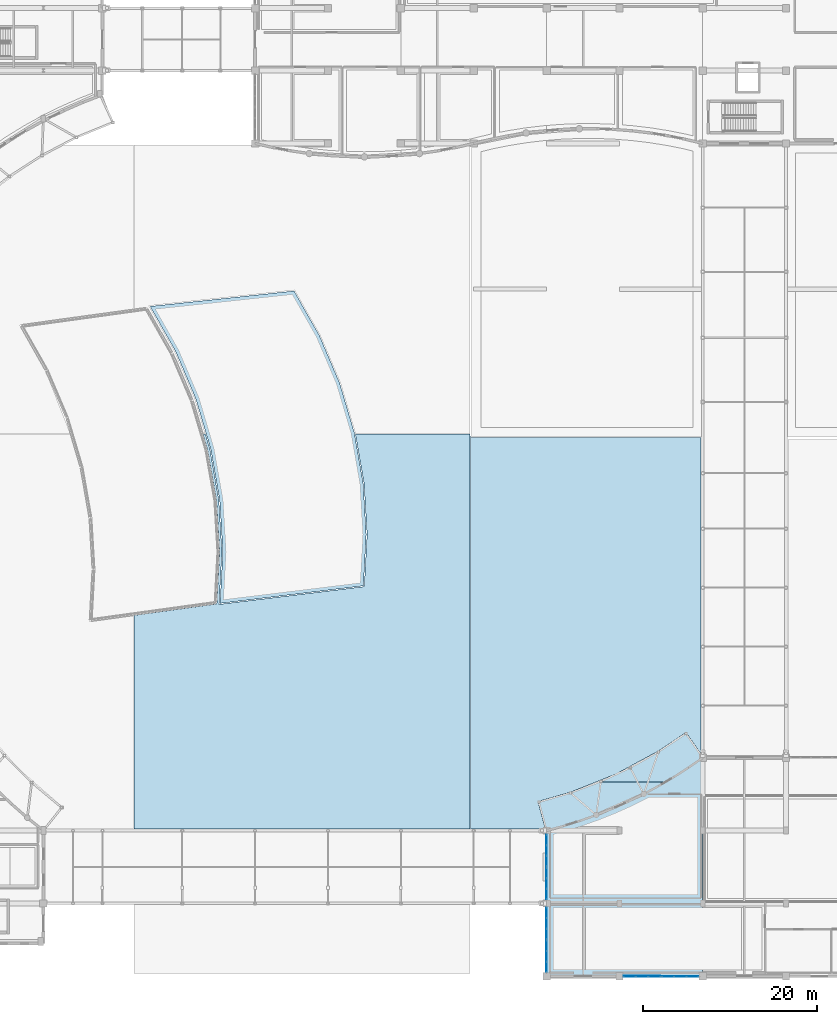
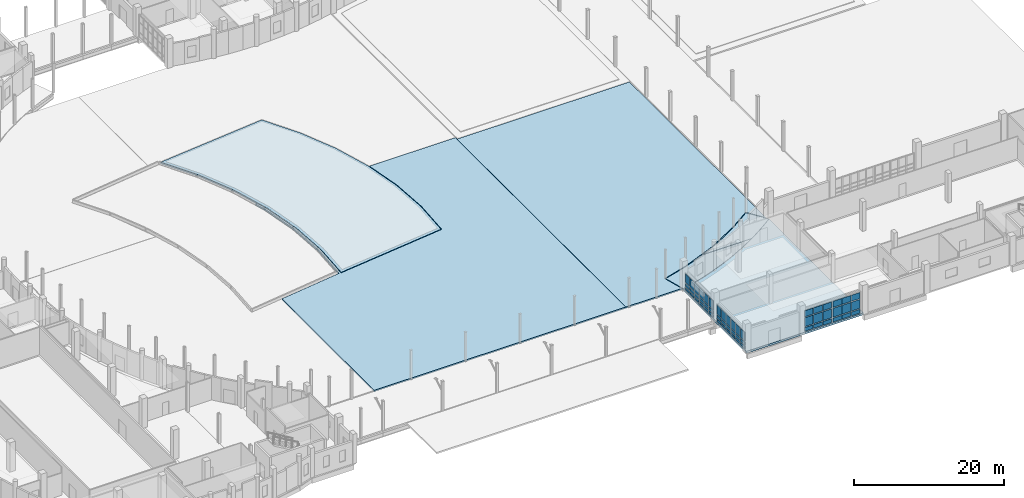
# One storey, part 49 of 97: 54 plates, 6 slabs, 6 elements without a shape of their own.
"""IFC4 building model written with IfcOpenShell, lengths in metres."""

from ifc_helpers import new_model, si_unit, direction, frame, origin, origin_2d, place, context, subcontext, project, spatial, polyline, rectangle, outline, extrude, material, layer, layer_set, type_object, element, aggregate, save


model = new_model("IFC4")

# Units and contexts
model_context = context("Model", 3, precision=1e-05, world=origin(), true_north=direction((0.0, 1.0)))
body_context = subcontext(model_context, "Body", "Model", "MODEL_VIEW")
ifc_project = project(units=[si_unit("LENGTHUNIT", "METRE"), si_unit("AREAUNIT", "SQUARE_METRE"), si_unit("VOLUMEUNIT", "CUBIC_METRE"), si_unit("PLANEANGLEUNIT", "RADIAN"), si_unit("MASSUNIT", "GRAM", prefix="KILO")], contexts=[model_context])

# Site, building, storey
site_placement = place(None, origin())
site = spatial("IfcSite", under=ifc_project, at=site_placement, CompositionType="ELEMENT")
building_placement = place(site_placement, origin())
building = spatial("IfcBuilding", under=site, at=building_placement, Name="Kisaragi Civic Commons", CompositionType="ELEMENT")
storey_placement = place(building_placement, origin())
storey = spatial("IfcBuildingStorey", under=building, at=storey_placement, Name="L00", CompositionType="ELEMENT", Elevation=0.0)

# Curtain wall, plates
ifc_material_1 = material(Name="Thermally broken anodized aluminium and low-E double glazing", Category="aluminium")
ifc_layer_1 = layer(ifc_material_1, 0.2099609375, Name="Thermally broken anodized aluminium and low-E double glazing", Category="aluminium")
ifc_layer_set_1 = layer_set([ifc_layer_1], Name="Thermally broken anodized aluminium and low-E double glazing")
curtain_wall_type = type_object("IfcCurtainWallType", Name="CW-02", PredefinedType="NOTDEFINED", material=ifc_layer_set_1)
curtain_wall_1_placement = place(storey_placement, origin())
curtain_wall_1 = element("IfcCurtainWall", 1, at=curtain_wall_1_placement, inside=storey, type_object=curtain_wall_type, Name="L00 curtain wall CW-02 CW-V3-L00-015", PredefinedType="NOTDEFINED")
ifc_layer_2 = layer(ifc_material_1, 0.0439453125, Name="Thermally broken anodized aluminium and low-E double glazing", Category="aluminium")
ifc_layer_set_2 = layer_set([ifc_layer_2], Name="Thermally broken anodized aluminium and low-E double glazing")
plate_type_1 = type_object("IfcPlateType", Name="CWP-01", PredefinedType="CURTAIN_PANEL", material=ifc_layer_set_2)
plate_1_placement = place(storey_placement, frame((105.60009765625, 1.077392578125, 0.16015625), z_axis=(0.0, 0.0, 1.0), x_axis=(0.0, 1.0, 0.0)))
plate_1 = element("IfcPlate", 2, at=plate_1_placement, type_object=plate_type_1, Name="CW-02 panel 1.1", PredefinedType="CURTAIN_PANEL", context=body_context, shape_type="SweptSolid", body=[
    extrude(rectangle(XDim=1.135009765625, YDim=0.0439453125, at=origin_2d()), origin(), (0.0, 0.0, 1.0), 0.409912109375),
])
plate_2_placement = place(storey_placement, frame((105.60009765625, 1.077392578125, 0.72998046875), z_axis=(0.0, 0.0, 1.0), x_axis=(0.0, 1.0, 0.0)))
plate_2 = element("IfcPlate", 3, at=plate_2_placement, type_object=plate_type_1, Name="CW-02 panel 1.2", PredefinedType="CURTAIN_PANEL", context=body_context, shape_type="SweptSolid", body=[
    extrude(rectangle(XDim=1.135009765625, YDim=0.0439453125, at=origin_2d()), origin(), (0.0, 0.0, 1.0), 0.489990234375),
])
plate_3_placement = place(storey_placement, frame((105.60009765625, 1.077392578125, 1.380126953125), z_axis=(0.0, 0.0, 1.0), x_axis=(0.0, 1.0, 0.0)))
plate_3 = element("IfcPlate", 4, at=plate_3_placement, type_object=plate_type_1, Name="CW-02 panel 1.3", PredefinedType="CURTAIN_PANEL", context=body_context, shape_type="SweptSolid", body=[
    extrude(rectangle(XDim=1.135009765625, YDim=0.0439453125, at=origin_2d()), origin(), (0.0, 0.0, 1.0), 1.43994140625),
])
plate_4_placement = place(storey_placement, frame((105.60009765625, 2.300048828125, 0.16015625), z_axis=(0.0, 0.0, 1.0), x_axis=(0.0, 1.0, 0.0)))
plate_4 = element("IfcPlate", 5, at=plate_4_placement, type_object=plate_type_1, Name="CW-02 panel 2.1", PredefinedType="CURTAIN_PANEL", context=body_context, shape_type="SweptSolid", body=[
    extrude(rectangle(XDim=1.169921875, YDim=0.0439453125, at=origin_2d()), origin(), (0.0, 0.0, 1.0), 0.409912109375),
])
plate_5_placement = place(storey_placement, frame((105.60009765625, 2.300048828125, 0.72998046875), z_axis=(0.0, 0.0, 1.0), x_axis=(0.0, 1.0, 0.0)))
plate_5 = element("IfcPlate", 6, at=plate_5_placement, type_object=plate_type_1, Name="CW-02 panel 2.2", PredefinedType="CURTAIN_PANEL", context=body_context, shape_type="SweptSolid", body=[
    extrude(rectangle(XDim=1.169921875, YDim=0.0439453125, at=origin_2d()), origin(), (0.0, 0.0, 1.0), 0.489990234375),
])
plate_6_placement = place(storey_placement, frame((105.60009765625, 2.300048828125, 1.380126953125), z_axis=(0.0, 0.0, 1.0), x_axis=(0.0, 1.0, 0.0)))
plate_6 = element("IfcPlate", 7, at=plate_6_placement, type_object=plate_type_1, Name="CW-02 panel 2.3", PredefinedType="CURTAIN_PANEL", context=body_context, shape_type="SweptSolid", body=[
    extrude(rectangle(XDim=1.169921875, YDim=0.0439453125, at=origin_2d()), origin(), (0.0, 0.0, 1.0), 1.43994140625),
])
plate_7_placement = place(storey_placement, frame((105.60009765625, 3.5224609375, 0.16015625), z_axis=(0.0, 0.0, 1.0), x_axis=(0.0, 1.0, 0.0)))
plate_7 = element("IfcPlate", 8, at=plate_7_placement, type_object=plate_type_1, Name="CW-02 panel 3.1", PredefinedType="CURTAIN_PANEL", context=body_context, shape_type="SweptSolid", body=[
    extrude(rectangle(XDim=1.135009765625, YDim=0.0439453125, at=origin_2d()), origin(), (0.0, 0.0, 1.0), 0.409912109375),
])
plate_8_placement = place(storey_placement, frame((105.60009765625, 3.5224609375, 0.72998046875), z_axis=(0.0, 0.0, 1.0), x_axis=(0.0, 1.0, 0.0)))
plate_8 = element("IfcPlate", 9, at=plate_8_placement, type_object=plate_type_1, Name="CW-02 panel 3.2", PredefinedType="CURTAIN_PANEL", context=body_context, shape_type="SweptSolid", body=[
    extrude(rectangle(XDim=1.135009765625, YDim=0.0439453125, at=origin_2d()), origin(), (0.0, 0.0, 1.0), 0.489990234375),
])
plate_9_placement = place(storey_placement, frame((105.60009765625, 3.5224609375, 1.380126953125), z_axis=(0.0, 0.0, 1.0), x_axis=(0.0, 1.0, 0.0)))
plate_9 = element("IfcPlate", 10, at=plate_9_placement, type_object=plate_type_1, Name="CW-02 panel 3.3", PredefinedType="CURTAIN_PANEL", context=body_context, shape_type="SweptSolid", body=[
    extrude(rectangle(XDim=1.135009765625, YDim=0.0439453125, at=origin_2d()), origin(), (0.0, 0.0, 1.0), 1.43994140625),
])
aggregate(curtain_wall_1, [plate_1, plate_2, plate_3, plate_4, plate_5, plate_6, plate_7, plate_8, plate_9])

curtain_wall_2_placement = place(storey_placement, origin())
curtain_wall_2 = element("IfcCurtainWall", 11, at=curtain_wall_2_placement, inside=storey, type_object=curtain_wall_type, Name="L00 curtain wall CW-02 CW-V3-L00-016", PredefinedType="NOTDEFINED")
ifc_layer_3 = layer(ifc_material_1, 0.052001953125, Name="Thermally broken anodized aluminium and low-E double glazing", Category="aluminium")
ifc_layer_set_3 = layer_set([ifc_layer_3], Name="Thermally broken anodized aluminium and low-E double glazing")
plate_type_2 = type_object("IfcPlateType", Name="CWP-02", PredefinedType="CURTAIN_PANEL", material=ifc_layer_set_3)
plate_10_placement = place(storey_placement, frame((105.60009765625, 4.87744140625, 0.16015625), z_axis=(0.0, 0.0, 1.0), x_axis=(0.0, 1.0, 0.0)))
plate_10 = element("IfcPlate", 12, at=plate_10_placement, type_object=plate_type_2, Name="CW-02 panel 1.1", PredefinedType="CURTAIN_PANEL", context=body_context, shape_type="SweptSolid", body=[
    extrude(rectangle(XDim=1.135009765625, YDim=0.052001953125, at=origin_2d()), origin(), (0.0, 0.0, 1.0), 0.409912109375),
])
plate_11_placement = place(storey_placement, frame((105.60009765625, 4.87744140625, 0.72998046875), z_axis=(0.0, 0.0, 1.0), x_axis=(0.0, 1.0, 0.0)))
plate_11 = element("IfcPlate", 13, at=plate_11_placement, type_object=plate_type_2, Name="CW-02 panel 1.2", PredefinedType="CURTAIN_PANEL", context=body_context, shape_type="SweptSolid", body=[
    extrude(rectangle(XDim=1.135009765625, YDim=0.052001953125, at=origin_2d()), origin(), (0.0, 0.0, 1.0), 0.489990234375),
])
plate_12_placement = place(storey_placement, frame((105.60009765625, 4.87744140625, 1.380126953125), z_axis=(0.0, 0.0, 1.0), x_axis=(0.0, 1.0, 0.0)))
plate_12 = element("IfcPlate", 14, at=plate_12_placement, type_object=plate_type_2, Name="CW-02 panel 1.3", PredefinedType="CURTAIN_PANEL", context=body_context, shape_type="SweptSolid", body=[
    extrude(rectangle(XDim=1.135009765625, YDim=0.052001953125, at=origin_2d()), origin(), (0.0, 0.0, 1.0), 1.43994140625),
])
plate_13_placement = place(storey_placement, frame((105.60009765625, 6.10009765625, 0.16015625), z_axis=(0.0, 0.0, 1.0), x_axis=(0.0, 1.0, 0.0)))
plate_13 = element("IfcPlate", 15, at=plate_13_placement, type_object=plate_type_2, Name="CW-02 panel 2.1", PredefinedType="CURTAIN_PANEL", context=body_context, shape_type="SweptSolid", body=[
    extrude(rectangle(XDim=1.169921875, YDim=0.052001953125, at=origin_2d()), origin(), (0.0, 0.0, 1.0), 0.409912109375),
])
plate_14_placement = place(storey_placement, frame((105.60009765625, 6.10009765625, 0.72998046875), z_axis=(0.0, 0.0, 1.0), x_axis=(0.0, 1.0, 0.0)))
plate_14 = element("IfcPlate", 16, at=plate_14_placement, type_object=plate_type_2, Name="CW-02 panel 2.2", PredefinedType="CURTAIN_PANEL", context=body_context, shape_type="SweptSolid", body=[
    extrude(rectangle(XDim=1.169921875, YDim=0.052001953125, at=origin_2d()), origin(), (0.0, 0.0, 1.0), 0.489990234375),
])
plate_15_placement = place(storey_placement, frame((105.60009765625, 6.10009765625, 1.380126953125), z_axis=(0.0, 0.0, 1.0), x_axis=(0.0, 1.0, 0.0)))
plate_15 = element("IfcPlate", 17, at=plate_15_placement, type_object=plate_type_2, Name="CW-02 panel 2.3", PredefinedType="CURTAIN_PANEL", context=body_context, shape_type="SweptSolid", body=[
    extrude(rectangle(XDim=1.169921875, YDim=0.052001953125, at=origin_2d()), origin(), (0.0, 0.0, 1.0), 1.43994140625),
])
plate_16_placement = place(storey_placement, frame((105.60009765625, 7.322509765625, 0.16015625), z_axis=(0.0, 0.0, 1.0), x_axis=(0.0, 1.0, 0.0)))
plate_16 = element("IfcPlate", 18, at=plate_16_placement, type_object=plate_type_2, Name="CW-02 panel 3.1", PredefinedType="CURTAIN_PANEL", context=body_context, shape_type="SweptSolid", body=[
    extrude(rectangle(XDim=1.135009765625, YDim=0.052001953125, at=origin_2d()), origin(), (0.0, 0.0, 1.0), 0.409912109375),
])
plate_17_placement = place(storey_placement, frame((105.60009765625, 7.322509765625, 0.72998046875), z_axis=(0.0, 0.0, 1.0), x_axis=(0.0, 1.0, 0.0)))
plate_17 = element("IfcPlate", 19, at=plate_17_placement, type_object=plate_type_2, Name="CW-02 panel 3.2", PredefinedType="CURTAIN_PANEL", context=body_context, shape_type="SweptSolid", body=[
    extrude(rectangle(XDim=1.135009765625, YDim=0.052001953125, at=origin_2d()), origin(), (0.0, 0.0, 1.0), 0.489990234375),
])
plate_18_placement = place(storey_placement, frame((105.60009765625, 7.322509765625, 1.380126953125), z_axis=(0.0, 0.0, 1.0), x_axis=(0.0, 1.0, 0.0)))
plate_18 = element("IfcPlate", 20, at=plate_18_placement, type_object=plate_type_2, Name="CW-02 panel 3.3", PredefinedType="CURTAIN_PANEL", context=body_context, shape_type="SweptSolid", body=[
    extrude(rectangle(XDim=1.135009765625, YDim=0.052001953125, at=origin_2d()), origin(), (0.0, 0.0, 1.0), 1.43994140625),
])
aggregate(curtain_wall_2, [plate_10, plate_11, plate_12, plate_13, plate_14, plate_15, plate_16, plate_17, plate_18])

curtain_wall_3_placement = place(storey_placement, origin())
curtain_wall_3 = element("IfcCurtainWall", 21, at=curtain_wall_3_placement, inside=storey, type_object=curtain_wall_type, Name="L00 curtain wall CW-02 CW-V3-L00-017", PredefinedType="NOTDEFINED")
ifc_layer_4 = layer(ifc_material_1, 0.06396484375, Name="Thermally broken anodized aluminium and low-E double glazing", Category="aluminium")
ifc_layer_set_4 = layer_set([ifc_layer_4], Name="Thermally broken anodized aluminium and low-E double glazing")
plate_type_3 = type_object("IfcPlateType", Name="CWP-04", PredefinedType="CURTAIN_PANEL", material=ifc_layer_set_4)
plate_19_placement = place(storey_placement, frame((105.60009765625, 9.4775390625, 0.16015625), z_axis=(0.0, 0.0, 1.0), x_axis=(0.0, 1.0, 0.0)))
plate_19 = element("IfcPlate", 22, at=plate_19_placement, type_object=plate_type_3, Name="CW-02 panel 1.1", PredefinedType="CURTAIN_PANEL", context=body_context, shape_type="SweptSolid", body=[
    extrude(rectangle(XDim=1.135009765625, YDim=0.06396484375, at=origin_2d()), origin(), (0.0, 0.0, 1.0), 0.409912109375),
])
plate_20_placement = place(storey_placement, frame((105.60009765625, 9.4775390625, 0.72998046875), z_axis=(0.0, 0.0, 1.0), x_axis=(0.0, 1.0, 0.0)))
plate_20 = element("IfcPlate", 23, at=plate_20_placement, type_object=plate_type_3, Name="CW-02 panel 1.2", PredefinedType="CURTAIN_PANEL", context=body_context, shape_type="SweptSolid", body=[
    extrude(rectangle(XDim=1.135009765625, YDim=0.06396484375, at=origin_2d()), origin(), (0.0, 0.0, 1.0), 0.489990234375),
])
plate_21_placement = place(storey_placement, frame((105.60009765625, 9.4775390625, 1.380126953125), z_axis=(0.0, 0.0, 1.0), x_axis=(0.0, 1.0, 0.0)))
plate_21 = element("IfcPlate", 24, at=plate_21_placement, type_object=plate_type_3, Name="CW-02 panel 1.3", PredefinedType="CURTAIN_PANEL", context=body_context, shape_type="SweptSolid", body=[
    extrude(rectangle(XDim=1.135009765625, YDim=0.06396484375, at=origin_2d()), origin(), (0.0, 0.0, 1.0), 1.43994140625),
])
plate_22_placement = place(storey_placement, frame((105.60009765625, 10.699951171875, 0.16015625), z_axis=(0.0, 0.0, 1.0), x_axis=(0.0, 1.0, 0.0)))
plate_22 = element("IfcPlate", 25, at=plate_22_placement, type_object=plate_type_3, Name="CW-02 panel 2.1", PredefinedType="CURTAIN_PANEL", context=body_context, shape_type="SweptSolid", body=[
    extrude(rectangle(XDim=1.169921875, YDim=0.06396484375, at=origin_2d()), origin(), (0.0, 0.0, 1.0), 0.409912109375),
])
plate_23_placement = place(storey_placement, frame((105.60009765625, 10.699951171875, 0.72998046875), z_axis=(0.0, 0.0, 1.0), x_axis=(0.0, 1.0, 0.0)))
plate_23 = element("IfcPlate", 26, at=plate_23_placement, type_object=plate_type_3, Name="CW-02 panel 2.2", PredefinedType="CURTAIN_PANEL", context=body_context, shape_type="SweptSolid", body=[
    extrude(rectangle(XDim=1.169921875, YDim=0.06396484375, at=origin_2d()), origin(), (0.0, 0.0, 1.0), 0.489990234375),
])
plate_24_placement = place(storey_placement, frame((105.60009765625, 10.699951171875, 1.380126953125), z_axis=(0.0, 0.0, 1.0), x_axis=(0.0, 1.0, 0.0)))
plate_24 = element("IfcPlate", 27, at=plate_24_placement, type_object=plate_type_3, Name="CW-02 panel 2.3", PredefinedType="CURTAIN_PANEL", context=body_context, shape_type="SweptSolid", body=[
    extrude(rectangle(XDim=1.169921875, YDim=0.06396484375, at=origin_2d()), origin(), (0.0, 0.0, 1.0), 1.43994140625),
])
plate_25_placement = place(storey_placement, frame((105.60009765625, 11.922607421875, 0.16015625), z_axis=(0.0, 0.0, 1.0), x_axis=(0.0, 1.0, 0.0)))
plate_25 = element("IfcPlate", 28, at=plate_25_placement, type_object=plate_type_3, Name="CW-02 panel 3.1", PredefinedType="CURTAIN_PANEL", context=body_context, shape_type="SweptSolid", body=[
    extrude(rectangle(XDim=1.135009765625, YDim=0.06396484375, at=origin_2d()), origin(), (0.0, 0.0, 1.0), 0.409912109375),
])
plate_26_placement = place(storey_placement, frame((105.60009765625, 11.922607421875, 0.72998046875), z_axis=(0.0, 0.0, 1.0), x_axis=(0.0, 1.0, 0.0)))
plate_26 = element("IfcPlate", 29, at=plate_26_placement, type_object=plate_type_3, Name="CW-02 panel 3.2", PredefinedType="CURTAIN_PANEL", context=body_context, shape_type="SweptSolid", body=[
    extrude(rectangle(XDim=1.135009765625, YDim=0.06396484375, at=origin_2d()), origin(), (0.0, 0.0, 1.0), 0.489990234375),
])
plate_27_placement = place(storey_placement, frame((105.60009765625, 11.922607421875, 1.380126953125), z_axis=(0.0, 0.0, 1.0), x_axis=(0.0, 1.0, 0.0)))
plate_27 = element("IfcPlate", 30, at=plate_27_placement, type_object=plate_type_3, Name="CW-02 panel 3.3", PredefinedType="CURTAIN_PANEL", context=body_context, shape_type="SweptSolid", body=[
    extrude(rectangle(XDim=1.135009765625, YDim=0.06396484375, at=origin_2d()), origin(), (0.0, 0.0, 1.0), 1.43994140625),
])
aggregate(curtain_wall_3, [plate_19, plate_20, plate_21, plate_22, plate_23, plate_24, plate_25, plate_26, plate_27])

curtain_wall_4_placement = place(storey_placement, origin())
curtain_wall_4 = element("IfcCurtainWall", 31, at=curtain_wall_4_placement, inside=storey, type_object=curtain_wall_type, Name="L00 curtain wall CW-02 CW-V3-L00-018", PredefinedType="NOTDEFINED")
ifc_layer_5 = layer(ifc_material_1, 0.048095703125, Name="Thermally broken anodized aluminium and low-E double glazing", Category="aluminium")
ifc_layer_set_5 = layer_set([ifc_layer_5], Name="Thermally broken anodized aluminium and low-E double glazing")
plate_type_4 = type_object("IfcPlateType", Name="CWP-05", PredefinedType="CURTAIN_PANEL", material=ifc_layer_set_5)
plate_28_placement = place(storey_placement, frame((105.60009765625, 13.277587890625, 0.16015625), z_axis=(0.0, 0.0, 1.0), x_axis=(0.0, 1.0, 0.0)))
plate_28 = element("IfcPlate", 32, at=plate_28_placement, type_object=plate_type_4, Name="CW-02 panel 1.1", PredefinedType="CURTAIN_PANEL", context=body_context, shape_type="SweptSolid", body=[
    extrude(rectangle(XDim=1.135009765625, YDim=0.048095703125, at=origin_2d()), origin(), (0.0, 0.0, 1.0), 0.409912109375),
])
plate_29_placement = place(storey_placement, frame((105.60009765625, 13.277587890625, 0.72998046875), z_axis=(0.0, 0.0, 1.0), x_axis=(0.0, 1.0, 0.0)))
plate_29 = element("IfcPlate", 33, at=plate_29_placement, type_object=plate_type_4, Name="CW-02 panel 1.2", PredefinedType="CURTAIN_PANEL", context=body_context, shape_type="SweptSolid", body=[
    extrude(rectangle(XDim=1.135009765625, YDim=0.048095703125, at=origin_2d()), origin(), (0.0, 0.0, 1.0), 0.489990234375),
])
plate_30_placement = place(storey_placement, frame((105.60009765625, 13.277587890625, 1.380126953125), z_axis=(0.0, 0.0, 1.0), x_axis=(0.0, 1.0, 0.0)))
plate_30 = element("IfcPlate", 34, at=plate_30_placement, type_object=plate_type_4, Name="CW-02 panel 1.3", PredefinedType="CURTAIN_PANEL", context=body_context, shape_type="SweptSolid", body=[
    extrude(rectangle(XDim=1.135009765625, YDim=0.048095703125, at=origin_2d()), origin(), (0.0, 0.0, 1.0), 1.43994140625),
])
plate_31_placement = place(storey_placement, frame((105.60009765625, 14.5, 0.16015625), z_axis=(0.0, 0.0, 1.0), x_axis=(0.0, 1.0, 0.0)))
plate_31 = element("IfcPlate", 35, at=plate_31_placement, type_object=plate_type_4, Name="CW-02 panel 2.1", PredefinedType="CURTAIN_PANEL", context=body_context, shape_type="SweptSolid", body=[
    extrude(rectangle(XDim=1.169921875, YDim=0.048095703125, at=origin_2d()), origin(), (0.0, 0.0, 1.0), 0.409912109375),
])
plate_32_placement = place(storey_placement, frame((105.60009765625, 14.5, 0.72998046875), z_axis=(0.0, 0.0, 1.0), x_axis=(0.0, 1.0, 0.0)))
plate_32 = element("IfcPlate", 36, at=plate_32_placement, type_object=plate_type_4, Name="CW-02 panel 2.2", PredefinedType="CURTAIN_PANEL", context=body_context, shape_type="SweptSolid", body=[
    extrude(rectangle(XDim=1.169921875, YDim=0.048095703125, at=origin_2d()), origin(), (0.0, 0.0, 1.0), 0.489990234375),
])
plate_33_placement = place(storey_placement, frame((105.60009765625, 14.5, 1.380126953125), z_axis=(0.0, 0.0, 1.0), x_axis=(0.0, 1.0, 0.0)))
plate_33 = element("IfcPlate", 37, at=plate_33_placement, type_object=plate_type_4, Name="CW-02 panel 2.3", PredefinedType="CURTAIN_PANEL", context=body_context, shape_type="SweptSolid", body=[
    extrude(rectangle(XDim=1.169921875, YDim=0.048095703125, at=origin_2d()), origin(), (0.0, 0.0, 1.0), 1.43994140625),
])
plate_34_placement = place(storey_placement, frame((105.60009765625, 15.722412109375, 0.16015625), z_axis=(0.0, 0.0, 1.0), x_axis=(0.0, 1.0, 0.0)))
plate_34 = element("IfcPlate", 38, at=plate_34_placement, type_object=plate_type_4, Name="CW-02 panel 3.1", PredefinedType="CURTAIN_PANEL", context=body_context, shape_type="SweptSolid", body=[
    extrude(rectangle(XDim=1.135009765625, YDim=0.048095703125, at=origin_2d()), origin(), (0.0, 0.0, 1.0), 0.409912109375),
])
plate_35_placement = place(storey_placement, frame((105.60009765625, 15.722412109375, 0.72998046875), z_axis=(0.0, 0.0, 1.0), x_axis=(0.0, 1.0, 0.0)))
plate_35 = element("IfcPlate", 39, at=plate_35_placement, type_object=plate_type_4, Name="CW-02 panel 3.2", PredefinedType="CURTAIN_PANEL", context=body_context, shape_type="SweptSolid", body=[
    extrude(rectangle(XDim=1.135009765625, YDim=0.048095703125, at=origin_2d()), origin(), (0.0, 0.0, 1.0), 0.489990234375),
])
plate_36_placement = place(storey_placement, frame((105.60009765625, 15.722412109375, 1.380126953125), z_axis=(0.0, 0.0, 1.0), x_axis=(0.0, 1.0, 0.0)))
plate_36 = element("IfcPlate", 40, at=plate_36_placement, type_object=plate_type_4, Name="CW-02 panel 3.3", PredefinedType="CURTAIN_PANEL", context=body_context, shape_type="SweptSolid", body=[
    extrude(rectangle(XDim=1.135009765625, YDim=0.048095703125, at=origin_2d()), origin(), (0.0, 0.0, 1.0), 1.43994140625),
])
aggregate(curtain_wall_4, [plate_28, plate_29, plate_30, plate_31, plate_32, plate_33, plate_34, plate_35, plate_36])

curtain_wall_5_placement = place(storey_placement, origin())
curtain_wall_5 = element("IfcCurtainWall", 41, at=curtain_wall_5_placement, inside=storey, type_object=curtain_wall_type, Name="L00 curtain wall CW-02 CW-V3-L00-013", PredefinedType="NOTDEFINED")
ifc_layer_6 = layer(ifc_material_1, 0.070068359375, Name="Thermally broken anodized aluminium and low-E double glazing", Category="aluminium")
ifc_layer_set_6 = layer_set([ifc_layer_6], Name="Thermally broken anodized aluminium and low-E double glazing")
plate_type_5 = type_object("IfcPlateType", Name="CWP-17", PredefinedType="CURTAIN_PANEL", material=ifc_layer_set_6)
plate_37_placement = place(storey_placement, frame((122.422607421875, 0.0, 0.16015625), z_axis=(0.0, 0.0, 1.0), x_axis=(-1.0, 0.0, 0.0)))
plate_37 = element("IfcPlate", 42, at=plate_37_placement, type_object=plate_type_5, Name="CW-02 panel 1.1", PredefinedType="CURTAIN_PANEL", context=body_context, shape_type="SweptSolid", body=[
    extrude(rectangle(XDim=1.3349609375, YDim=0.070068359375, at=origin_2d()), origin(), (0.0, 0.0, 1.0), 0.610107421875),
])
plate_38_placement = place(storey_placement, frame((122.422607421875, 0.0, 0.929931640625), z_axis=(0.0, 0.0, 1.0), x_axis=(-1.0, 0.0, 0.0)))
plate_38 = element("IfcPlate", 43, at=plate_38_placement, type_object=plate_type_5, Name="CW-02 panel 1.2", PredefinedType="CURTAIN_PANEL", context=body_context, shape_type="SweptSolid", body=[
    extrude(rectangle(XDim=1.3349609375, YDim=0.070068359375, at=origin_2d()), origin(), (0.0, 0.0, 1.0), 1.43994140625),
])
plate_39_placement = place(storey_placement, frame((122.422607421875, 0.0, 2.530029296875), z_axis=(0.0, 0.0, 1.0), x_axis=(-1.0, 0.0, 0.0)))
plate_39 = element("IfcPlate", 44, at=plate_39_placement, type_object=plate_type_5, Name="CW-02 panel 1.3", PredefinedType="CURTAIN_PANEL", context=body_context, shape_type="SweptSolid", body=[
    extrude(rectangle(XDim=1.3349609375, YDim=0.070068359375, at=origin_2d()), origin(), (0.0, 0.0, 1.0), 0.97998046875),
])
plate_40_placement = place(storey_placement, frame((121.0, 0.0, 0.16015625), z_axis=(0.0, 0.0, 1.0), x_axis=(-1.0, 0.0, 0.0)))
plate_40 = element("IfcPlate", 45, at=plate_40_placement, type_object=plate_type_5, Name="CW-02 panel 2.1", PredefinedType="CURTAIN_PANEL", context=body_context, shape_type="SweptSolid", body=[
    extrude(rectangle(XDim=1.3701171875, YDim=0.070068359375, at=origin_2d()), origin(), (0.0, 0.0, 1.0), 0.610107421875),
])
plate_41_placement = place(storey_placement, frame((121.0, 0.0, 0.929931640625), z_axis=(0.0, 0.0, 1.0), x_axis=(-1.0, 0.0, 0.0)))
plate_41 = element("IfcPlate", 46, at=plate_41_placement, type_object=plate_type_5, Name="CW-02 panel 2.2", PredefinedType="CURTAIN_PANEL", context=body_context, shape_type="SweptSolid", body=[
    extrude(rectangle(XDim=1.3701171875, YDim=0.070068359375, at=origin_2d()), origin(), (0.0, 0.0, 1.0), 1.43994140625),
])
plate_42_placement = place(storey_placement, frame((121.0, 0.0, 2.530029296875), z_axis=(0.0, 0.0, 1.0), x_axis=(-1.0, 0.0, 0.0)))
plate_42 = element("IfcPlate", 47, at=plate_42_placement, type_object=plate_type_5, Name="CW-02 panel 2.3", PredefinedType="CURTAIN_PANEL", context=body_context, shape_type="SweptSolid", body=[
    extrude(rectangle(XDim=1.3701171875, YDim=0.070068359375, at=origin_2d()), origin(), (0.0, 0.0, 1.0), 0.97998046875),
])
plate_43_placement = place(storey_placement, frame((119.577392578125, 0.0, 0.16015625), z_axis=(0.0, 0.0, 1.0), x_axis=(-1.0, 0.0, 0.0)))
plate_43 = element("IfcPlate", 48, at=plate_43_placement, type_object=plate_type_5, Name="CW-02 panel 3.1", PredefinedType="CURTAIN_PANEL", context=body_context, shape_type="SweptSolid", body=[
    extrude(rectangle(XDim=1.3349609375, YDim=0.070068359375, at=origin_2d()), origin(), (0.0, 0.0, 1.0), 0.610107421875),
])
plate_44_placement = place(storey_placement, frame((119.577392578125, 0.0, 0.929931640625), z_axis=(0.0, 0.0, 1.0), x_axis=(-1.0, 0.0, 0.0)))
plate_44 = element("IfcPlate", 49, at=plate_44_placement, type_object=plate_type_5, Name="CW-02 panel 3.2", PredefinedType="CURTAIN_PANEL", context=body_context, shape_type="SweptSolid", body=[
    extrude(rectangle(XDim=1.3349609375, YDim=0.070068359375, at=origin_2d()), origin(), (0.0, 0.0, 1.0), 1.43994140625),
])
plate_45_placement = place(storey_placement, frame((119.577392578125, 0.0, 2.530029296875), z_axis=(0.0, 0.0, 1.0), x_axis=(-1.0, 0.0, 0.0)))
plate_45 = element("IfcPlate", 50, at=plate_45_placement, type_object=plate_type_5, Name="CW-02 panel 3.3", PredefinedType="CURTAIN_PANEL", context=body_context, shape_type="SweptSolid", body=[
    extrude(rectangle(XDim=1.3349609375, YDim=0.070068359375, at=origin_2d()), origin(), (0.0, 0.0, 1.0), 0.97998046875),
])
aggregate(curtain_wall_5, [plate_37, plate_38, plate_39, plate_40, plate_41, plate_42, plate_43, plate_44, plate_45])

curtain_wall_6_placement = place(storey_placement, origin())
curtain_wall_6 = element("IfcCurtainWall", 51, at=curtain_wall_6_placement, inside=storey, type_object=curtain_wall_type, Name="L00 curtain wall CW-02 CW-V3-L00-014", PredefinedType="NOTDEFINED")
ifc_layer_7 = layer(ifc_material_1, 0.077880859375, Name="Thermally broken anodized aluminium and low-E double glazing", Category="aluminium")
ifc_layer_set_7 = layer_set([ifc_layer_7], Name="Thermally broken anodized aluminium and low-E double glazing")
plate_type_6 = type_object("IfcPlateType", Name="CWP-18", PredefinedType="CURTAIN_PANEL", material=ifc_layer_set_7)
plate_46_placement = place(storey_placement, frame((118.0224609375, 0.0, 0.16015625), z_axis=(0.0, 0.0, 1.0), x_axis=(-1.0, 0.0, 0.0)))
plate_46 = element("IfcPlate", 52, at=plate_46_placement, type_object=plate_type_6, Name="CW-02 panel 1.1", PredefinedType="CURTAIN_PANEL", context=body_context, shape_type="SweptSolid", body=[
    extrude(rectangle(XDim=1.3349609375, YDim=0.077880859375, at=origin_2d()), origin(), (0.0, 0.0, 1.0), 0.610107421875),
])
plate_47_placement = place(storey_placement, frame((118.0224609375, 0.0, 0.929931640625), z_axis=(0.0, 0.0, 1.0), x_axis=(-1.0, 0.0, 0.0)))
plate_47 = element("IfcPlate", 53, at=plate_47_placement, type_object=plate_type_6, Name="CW-02 panel 1.2", PredefinedType="CURTAIN_PANEL", context=body_context, shape_type="SweptSolid", body=[
    extrude(rectangle(XDim=1.3349609375, YDim=0.077880859375, at=origin_2d()), origin(), (0.0, 0.0, 1.0), 1.43994140625),
])
plate_48_placement = place(storey_placement, frame((118.0224609375, 0.0, 2.530029296875), z_axis=(0.0, 0.0, 1.0), x_axis=(-1.0, 0.0, 0.0)))
plate_48 = element("IfcPlate", 54, at=plate_48_placement, type_object=plate_type_6, Name="CW-02 panel 1.3", PredefinedType="CURTAIN_PANEL", context=body_context, shape_type="SweptSolid", body=[
    extrude(rectangle(XDim=1.3349609375, YDim=0.077880859375, at=origin_2d()), origin(), (0.0, 0.0, 1.0), 0.97998046875),
])
plate_49_placement = place(storey_placement, frame((116.60009765625, 0.0, 0.16015625), z_axis=(0.0, 0.0, 1.0), x_axis=(-1.0, 0.0, 0.0)))
plate_49 = element("IfcPlate", 55, at=plate_49_placement, type_object=plate_type_6, Name="CW-02 panel 2.1", PredefinedType="CURTAIN_PANEL", context=body_context, shape_type="SweptSolid", body=[
    extrude(rectangle(XDim=1.3701171875, YDim=0.077880859375, at=origin_2d()), origin(), (0.0, 0.0, 1.0), 0.610107421875),
])
plate_50_placement = place(storey_placement, frame((116.60009765625, 0.0, 0.929931640625), z_axis=(0.0, 0.0, 1.0), x_axis=(-1.0, 0.0, 0.0)))
plate_50 = element("IfcPlate", 56, at=plate_50_placement, type_object=plate_type_6, Name="CW-02 panel 2.2", PredefinedType="CURTAIN_PANEL", context=body_context, shape_type="SweptSolid", body=[
    extrude(rectangle(XDim=1.3701171875, YDim=0.077880859375, at=origin_2d()), origin(), (0.0, 0.0, 1.0), 1.43994140625),
])
plate_51_placement = place(storey_placement, frame((116.60009765625, 0.0, 2.530029296875), z_axis=(0.0, 0.0, 1.0), x_axis=(-1.0, 0.0, 0.0)))
plate_51 = element("IfcPlate", 57, at=plate_51_placement, type_object=plate_type_6, Name="CW-02 panel 2.3", PredefinedType="CURTAIN_PANEL", context=body_context, shape_type="SweptSolid", body=[
    extrude(rectangle(XDim=1.3701171875, YDim=0.077880859375, at=origin_2d()), origin(), (0.0, 0.0, 1.0), 0.97998046875),
])
plate_52_placement = place(storey_placement, frame((115.177490234375, 0.0, 0.16015625), z_axis=(0.0, 0.0, 1.0), x_axis=(-1.0, 0.0, 0.0)))
plate_52 = element("IfcPlate", 58, at=plate_52_placement, type_object=plate_type_6, Name="CW-02 panel 3.1", PredefinedType="CURTAIN_PANEL", context=body_context, shape_type="SweptSolid", body=[
    extrude(rectangle(XDim=1.3349609375, YDim=0.077880859375, at=origin_2d()), origin(), (0.0, 0.0, 1.0), 0.610107421875),
])
plate_53_placement = place(storey_placement, frame((115.177490234375, 0.0, 0.929931640625), z_axis=(0.0, 0.0, 1.0), x_axis=(-1.0, 0.0, 0.0)))
plate_53 = element("IfcPlate", 59, at=plate_53_placement, type_object=plate_type_6, Name="CW-02 panel 3.2", PredefinedType="CURTAIN_PANEL", context=body_context, shape_type="SweptSolid", body=[
    extrude(rectangle(XDim=1.3349609375, YDim=0.077880859375, at=origin_2d()), origin(), (0.0, 0.0, 1.0), 1.43994140625),
])
plate_54_placement = place(storey_placement, frame((115.177490234375, 0.0, 2.530029296875), z_axis=(0.0, 0.0, 1.0), x_axis=(-1.0, 0.0, 0.0)))
plate_54 = element("IfcPlate", 60, at=plate_54_placement, type_object=plate_type_6, Name="CW-02 panel 3.3", PredefinedType="CURTAIN_PANEL", context=body_context, shape_type="SweptSolid", body=[
    extrude(rectangle(XDim=1.3349609375, YDim=0.077880859375, at=origin_2d()), origin(), (0.0, 0.0, 1.0), 0.97998046875),
])
aggregate(curtain_wall_6, [plate_46, plate_47, plate_48, plate_49, plate_50, plate_51, plate_52, plate_53, plate_54])

# Slabs
ifc_material_2 = material(Name="Concrete Fc30", Category="concrete")
ifc_layer_8 = layer(ifc_material_2, 0.324951171875, Name="Concrete Fc30", Category="concrete")
ifc_layer_set_8 = layer_set([ifc_layer_8], Name="Concrete Fc30")
slab_type_1 = type_object("IfcSlabType", Name="SL-G2", PredefinedType="BASESLAB", material=ifc_layer_set_8)
slab_1_placement = place(storey_placement, frame((0.0, 0.0, -0.324951171875)))
element("IfcSlab", 61, at=slab_1_placement, inside=storey, type_object=slab_type_1, Name="V3 L00 slab SL-G2 22", PredefinedType="BASESLAB", context=body_context, shape_type="SweptSolid", body=[
    extrude(outline(polyline([(123.60009765625, 0.0), (123.60009765625, 25.199951171875), (121.96142578125, 24.055908203125), (120.280029296875, 22.975341796875), (118.55859375, 21.96044921875), (116.79931640625, 21.01220703125), (115.0048828125, 20.132568359375), (113.177978515625, 19.322509765625), (111.3212890625, 18.5830078125), (109.4375, 17.91552734375), (107.529296875, 17.32080078125), (105.60009765625, 16.800048828125), (105.60009765625, 0.0), (123.60009765625, 0.0)])), origin(), (0.0, 0.0, 1.0), 0.324951171875),
])
ifc_layer_9 = layer(ifc_material_2, 0.2451171875, Name="Concrete Fc30", Category="concrete")
ifc_layer_set_9 = layer_set([ifc_layer_9], Name="Concrete Fc30")
slab_type_2 = type_object("IfcSlabType", Name="SL-G3", PredefinedType="BASESLAB", material=ifc_layer_set_9)
slab_2_placement = place(storey_placement, frame((0.0, 0.0, -0.2451171875)))
element("IfcSlab", 62, at=slab_2_placement, inside=storey, type_object=slab_type_2, Name="Central courtyard stone garden terrace structural slab", PredefinedType="BASESLAB", context=body_context, shape_type="SweptSolid", body=[
    extrude(outline(polyline([(59.891357421875, 77.22216796875), (62.83349609375, 72.0400390625), (65.17724609375, 66.532958984375), (66.878173828125, 60.794921875), (67.914306640625, 54.900390625), (68.272216796875, 48.926025390625), (67.94921875, 42.9755859375), (84.5, 45.0), (84.822265625, 50.9248046875), (84.46728515625, 56.847900390625), (83.440185546875, 62.69189453125), (81.75390625, 68.380615234375), (79.430419921875, 73.840576171875), (76.5, 79.0), (59.891357421875, 77.22216796875)])), origin(), (0.0, 0.0, 1.0), 0.2451171875),
])
slab_3_placement = place(storey_placement, frame((0.0, 0.0, -0.2451171875)))
element("IfcSlab", 63, at=slab_3_placement, inside=storey, type_object=slab_type_2, Name="Civic courtyard and forecourt stone promenade slab 5", PredefinedType="BASESLAB", context=body_context, shape_type="SweptSolid", body=[
    extrude(outline(polyline([(58.02001953125, 17.0), (96.800048828125, 17.0), (96.800048828125, 62.5), (83.554931640625, 62.5), (84.547119140625, 56.857177734375), (84.90234375, 50.925048828125), (84.576171875, 44.9287109375), (67.8642578125, 42.884521484375), (68.192138671875, 48.92578125), (67.834716796875, 54.89111328125), (66.800048828125, 60.776611328125), (66.289306640625, 62.5), (65.987548828125, 62.5), (66.51806640625, 60.710205078125), (67.547119140625, 54.857177734375), (67.90234375, 48.925048828125), (67.576416015625, 42.9296875), (58.02001953125, 41.61181640625), (58.02001953125, 17.0)])), origin(), (0.0, 0.0, 1.0), 0.2451171875),
])
slab_4_placement = place(storey_placement, frame((0.0, 0.0, -0.2451171875)))
element("IfcSlab", 64, at=slab_4_placement, inside=storey, type_object=slab_type_2, Name="Civic courtyard and forecourt stone promenade slab 8", PredefinedType="BASESLAB", context=body_context, shape_type="SweptSolid", body=[
    extrude(outline(polyline([(96.89990234375, 62.10009765625), (96.820068359375, 62.5), (96.820068359375, 17.0), (105.463134765625, 17.0), (104.61572265625, 20.138916015625), (108.33837890625, 21.21728515625), (113.533203125, 23.2861328125), (118.455322265625, 25.938720703125), (121.673095703125, 28.09912109375), (123.39990234375, 25.626220703125), (123.39990234375, 62.10009765625), (96.89990234375, 62.10009765625)])), origin(), (0.0, 0.0, 1.0), 0.2451171875),
])
ifc_layer_10 = layer(ifc_material_2, 0.205078125, Name="Concrete Fc30", Category="concrete")
ifc_layer_set_10 = layer_set([ifc_layer_10], Name="Concrete Fc30")
slab_type_3 = type_object("IfcSlabType", Name="SL-VR", PredefinedType="FLOOR", material=ifc_layer_set_10)
slab_5_placement = place(storey_placement, frame((0.0, 0.0, -0.205078125)))
element("IfcSlab", 65, at=slab_5_placement, inside=storey, type_object=slab_type_3, Name="VER-V3 engawa veranda deck slab 1", PredefinedType="FLOOR", context=body_context, shape_type="SweptSolid", body=[
    extrude(outline(polyline([(104.7138671875, 20.08251953125), (105.59619140625, 16.814453125), (107.525146484375, 17.335205078125), (109.4326171875, 17.9296875), (111.31591796875, 18.596923828125), (113.172119140625, 19.336181640625), (114.99853515625, 20.14599609375), (116.79248046875, 21.025634765625), (118.55126953125, 21.973388671875), (119.259521484375, 22.39111328125), (111.6953125, 22.39111328125), (110.124267578125, 21.765380859375), (108.363525390625, 21.1416015625), (106.580322265625, 20.585693359375), (104.7138671875, 20.08251953125)])), origin(), (0.0, 0.0, 1.0), 0.205078125),
])
slab_6_placement = place(storey_placement, frame((0.0, 0.0, -0.205078125)))
element("IfcSlab", 66, at=slab_6_placement, inside=storey, type_object=slab_type_3, Name="VER-V3 engawa veranda deck slab 2", PredefinedType="FLOOR", context=body_context, shape_type="SweptSolid", body=[
    extrude(outline(polyline([(111.74560546875, 22.410888671875), (119.293212890625, 22.410888671875), (120.272216796875, 22.98828125), (121.953125, 24.068359375), (123.59130859375, 25.21240234375), (123.59130859375, 25.21240234375), (121.6533203125, 27.987548828125), (120.06884765625, 26.88037109375), (118.497314453125, 25.87060546875), (116.888427734375, 24.921875), (115.244140625, 24.035888671875), (113.56689453125, 23.213623046875), (111.859619140625, 22.456298828125), (111.74560546875, 22.410888671875)])), origin(), (0.0, 0.0, 1.0), 0.205078125),
])

save(model, "model.ifc")
